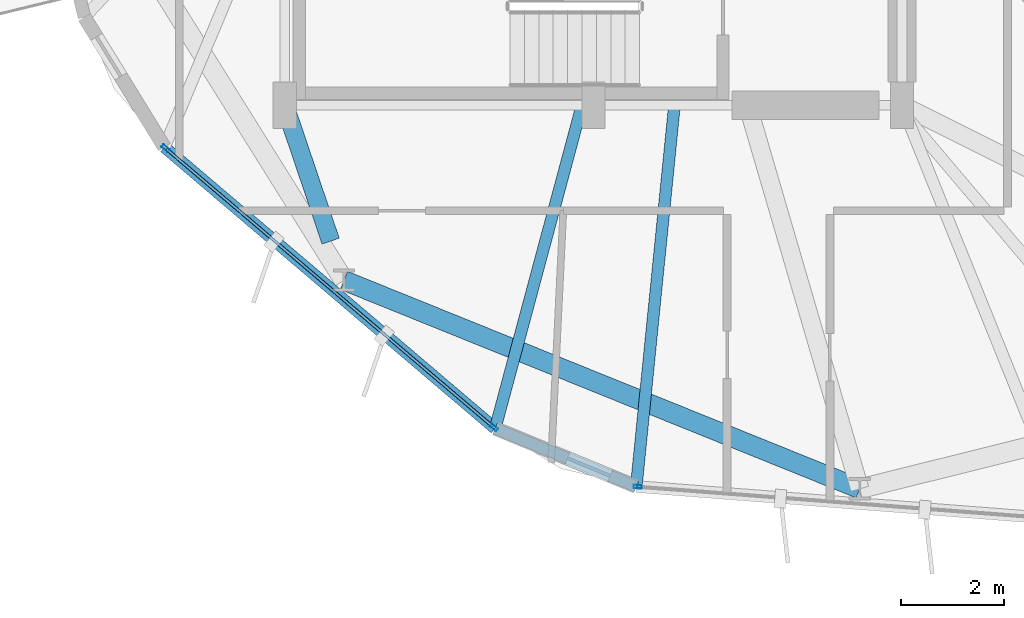
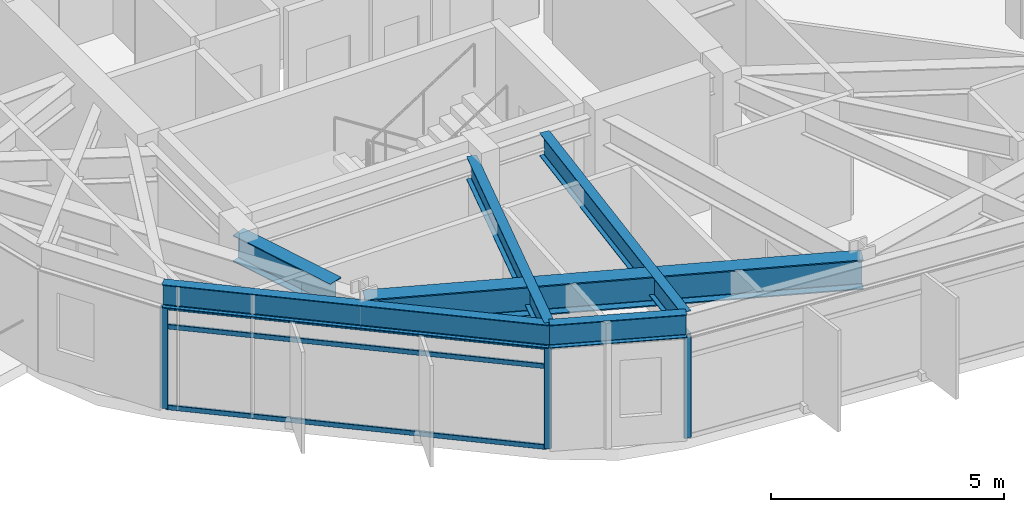
# One storey, part 2 of 21: 6 beams, 6 members, 2 elements without a shape of their own.
"""IFC4 building model written with IfcOpenShell, lengths in metres."""

from ifc_helpers import new_model, si_unit, direction, frame, origin, origin_2d, place, context, subcontext, project, spatial, hollow_rectangle, i_section, extrude, material, layer, layer_set, material_profile, profile_set, type_object, element, aggregate, save


model = new_model("IFC4")

# Units and contexts
model_context = context("Model", 3, precision=1e-05, world=origin(), true_north=direction((0.0, 1.0)))
body_context = subcontext(model_context, "Body", "Model", "MODEL_VIEW")
ifc_project = project(units=[si_unit("LENGTHUNIT", "METRE"), si_unit("AREAUNIT", "SQUARE_METRE"), si_unit("VOLUMEUNIT", "CUBIC_METRE"), si_unit("PLANEANGLEUNIT", "RADIAN"), si_unit("MASSUNIT", "GRAM", prefix="KILO")], contexts=[model_context])

# Site, building, storey
site_placement = place(None, origin())
site = spatial("IfcSite", under=ifc_project, at=site_placement, CompositionType="ELEMENT")
building_placement = place(site_placement, origin())
building = spatial("IfcBuilding", under=site, at=building_placement, Name="Soratama Intermodal Tower", CompositionType="ELEMENT")
storey_placement = place(building_placement, frame((0.0, 0.0, 149.800048828125)))
storey = spatial("IfcBuildingStorey", under=building, at=storey_placement, Name="L36", CompositionType="ELEMENT", Elevation=149.800048828125)

# Beams
ifc_material_1 = material(Name="Structural steel ASTM A992 Grade 50", Category="steel")
ifc_material_profile_1 = material_profile(ifc_material_1, i_section(OverallWidth=0.35498046875, OverallDepth=0.695068359375, WebThickness=0.015380859375, FlangeThickness=0.02490234375, FilletRadius=0.01611328125, at=origin_2d()), Name="W27X146")
ifc_profile_set_1 = profile_set([ifc_material_profile_1], Name="Structural steel ASTM A992 Grade 50")
beam_type_1 = type_object("IfcBeamType", Name="BM-RING-W27X146", PredefinedType="BEAM", material=ifc_profile_set_1)
beam_1_placement = place(storey_placement, frame((32.60009765625, 15.0, 2.952392578125), z_axis=(0.32013816754, -0.947370863856, 0.0), x_axis=(0.947370863856, 0.32013816754, 0.0)))
element("IfcBeam", 1, at=beam_1_placement, inside=storey, type_object=beam_type_1, Name="BM-L36-RAD-07", PredefinedType="BEAM", context=body_context, shape_type="SweptSolid", body=[
    extrude(i_section(OverallWidth=0.35498046875, OverallDepth=0.695068359375, WebThickness=0.015380859375, FlangeThickness=0.02490234375, FilletRadius=0.01611328125, at=origin_2d()), origin(), (0.0, 0.0, 1.0), 2.788818359375),
])
ifc_material_2 = material(Name="Structural steel ASTM A992 Grade 50", Category="steel")
ifc_material_profile_2 = material_profile(ifc_material_2, i_section(OverallWidth=0.382080078125, OverallDepth=0.779052734375, WebThickness=0.01806640625, FlangeThickness=0.030029296875, FilletRadius=0.01806640625, at=origin_2d()), Name="W30X191")
ifc_profile_set_2 = profile_set([ifc_material_profile_2], Name="Structural steel ASTM A992 Grade 50")
beam_type_2 = type_object("IfcBeamType", Name="BM-RING-W30X191", PredefinedType="BEAM", material=ifc_profile_set_2)
beam_2_placement = place(storey_placement, frame((33.7509765625, 11.593994140625, 2.910400390625), z_axis=(0.927202491827, -0.374560461275, 0.0), x_axis=(0.374560461275, 0.927202491827, 0.0)))
element("IfcBeam", 2, at=beam_2_placement, inside=storey, type_object=beam_type_2, Name="BM-L36-RING-07", PredefinedType="BEAM", context=body_context, shape_type="SweptSolid", body=[
    extrude(i_section(OverallWidth=0.382080078125, OverallDepth=0.779052734375, WebThickness=0.01806640625, FlangeThickness=0.030029296875, FilletRadius=0.01806640625, at=origin_2d()), origin(), (0.0, 0.0, 1.0), 10.8154296875),
])
ifc_material_3 = material(Name="Structural steel ASTM A992 Grade 50", Category="steel")
ifc_material_profile_3 = material_profile(ifc_material_3, i_section(OverallWidth=0.22900390625, OverallDepth=0.612060546875, WebThickness=0.011962890625, FlangeThickness=0.01953125, FilletRadius=0.012939453125, at=origin_2d()), Name="W24X84")
ifc_profile_set_3 = profile_set([ifc_material_profile_3], Name="Structural steel ASTM A992 Grade 50")
beam_type_3 = type_object("IfcBeamType", Name="BM-SPN-W24X84", PredefinedType="SPANDREL", material=ifc_profile_set_3)
beam_3_placement = place(storey_placement, frame((30.260986328125, 14.18408203125, 2.993896484375), z_axis=(0.761731615954, -0.647892695789, 0.0), x_axis=(0.647892695789, 0.761731615954, 0.0)))
element("IfcBeam", 3, at=beam_3_placement, inside=storey, type_object=beam_type_3, Name="BS-L36-F06", PredefinedType="SPANDREL", context=body_context, shape_type="SweptSolid", body=[
    extrude(i_section(OverallWidth=0.22900390625, OverallDepth=0.612060546875, WebThickness=0.011962890625, FlangeThickness=0.01953125, FilletRadius=0.012939453125, at=origin_2d()), origin(), (0.0, 0.0, 1.0), 8.441162109375),
])
beam_4_placement = place(storey_placement, frame((36.69091796875, 8.715087890625, 2.993896484375), z_axis=(0.924724111608, -0.380638039889, 0.0), x_axis=(0.380638039889, 0.924724111608, 0.0)))
element("IfcBeam", 4, at=beam_4_placement, inside=storey, type_object=beam_type_3, Name="BS-L36-CRN06", PredefinedType="SPANDREL", context=body_context, shape_type="SweptSolid", body=[
    extrude(i_section(OverallWidth=0.22900390625, OverallDepth=0.612060546875, WebThickness=0.011962890625, FlangeThickness=0.01953125, FilletRadius=0.012939453125, at=origin_2d()), origin(), (0.0, 0.0, 1.0), 2.966552734375),
])
ifc_material_4 = material(Name="Structural steel ASTM A992 Grade 50", Category="steel")
ifc_material_profile_4 = material_profile(ifc_material_4, i_section(OverallWidth=0.22900390625, OverallDepth=0.612060546875, WebThickness=0.011962890625, FlangeThickness=0.01953125, FilletRadius=0.012939453125, at=origin_2d()), Name="W24X84")
ifc_profile_set_4 = profile_set([ifc_material_profile_4], Name="Structural steel ASTM A992 Grade 50")
beam_type_4 = type_object("IfcBeamType", Name="BM-TIE-W24X84", PredefinedType="BEAM", material=ifc_profile_set_4)
beam_5_placement = place(storey_placement, frame((38.367919921875, 14.9609375, 2.993896484375), z_axis=(-0.259314091853, -0.965793042927, 0.0), x_axis=(0.965793042927, -0.259314091853, 0.0)))
element("IfcBeam", 5, at=beam_5_placement, inside=storey, type_object=beam_type_4, Name="BM-L36-TIE1-06", PredefinedType="BEAM", context=body_context, shape_type="SweptSolid", body=[
    extrude(i_section(OverallWidth=0.22900390625, OverallDepth=0.612060546875, WebThickness=0.011962890625, FlangeThickness=0.01953125, FilletRadius=0.012939453125, at=origin_2d()), origin(), (0.0, 0.0, 1.0), 6.467041015625),
])
beam_6_placement = place(storey_placement, frame((40.173095703125, 14.9599609375, 2.993896484375), z_axis=(-0.099718988921, -0.9950156397, 0.0), x_axis=(0.9950156397, -0.099718988921, 0.0)))
element("IfcBeam", 6, at=beam_6_placement, inside=storey, type_object=beam_type_4, Name="BM-L36-TIE0-07", PredefinedType="BEAM", context=body_context, shape_type="SweptSolid", body=[
    extrude(i_section(OverallWidth=0.22900390625, OverallDepth=0.612060546875, WebThickness=0.011962890625, FlangeThickness=0.01953125, FilletRadius=0.012939453125, at=origin_2d()), origin(), (0.0, 0.0, 1.0), 7.410888671875),
])

# Curtain wall, members
ifc_material_5 = material(Name="Double-glazed aluminium curtain wall", Category="aluminium")
ifc_layer = layer(ifc_material_5, 0.159912109375)
ifc_layer_set = layer_set([ifc_layer], Name="Double-glazed aluminium curtain wall")
curtain_wall_type = type_object("IfcCurtainWallType", Name="CW-SYS-4", PredefinedType="NOTDEFINED", material=ifc_layer_set)
curtain_wall_1_placement = place(storey_placement, origin())
curtain_wall_1 = element("IfcCurtainWall", 7, at=curtain_wall_1_placement, inside=storey, type_object=curtain_wall_type, Name="L36 Faceted Curtain Wall F06", PredefinedType="NOTDEFINED")
ifc_material_6 = material(Name="Anodised aluminium AA 6063-T6", Category="aluminium")
ifc_material_profile_5 = material_profile(ifc_material_6, hollow_rectangle(XDim=0.070068359375, YDim=0.159912109375, WallThickness=0.0048828125, InnerFilletRadius=0.0048828125, OuterFilletRadius=0.010009765625, at=origin_2d()), Name="CWM160X70X5")
ifc_profile_set_5 = profile_set([ifc_material_profile_5], Name="Anodised aluminium AA 6063-T6")
member_type_1 = type_object("IfcMemberType", Name="MT-CWM-4", PredefinedType="MULLION", material=ifc_profile_set_5)
member_1_placement = place(storey_placement, frame((30.28369140625, 14.1640625, 0.0), z_axis=(0.0, 0.0, 1.0), x_axis=(0.647857493504, 0.761761555942, 0.0)))
member_1 = element("IfcMember", 8, at=member_1_placement, type_object=member_type_1, Name="CW-4 mullion 1", PredefinedType="MULLION", context=body_context, shape_type="SweptSolid", body=[
    extrude(hollow_rectangle(XDim=0.070068359375, YDim=0.159912109375, WallThickness=0.0048828125, InnerFilletRadius=0.0048828125, OuterFilletRadius=0.010009765625, at=origin_2d()), origin(), (0.0, 0.0, 1.0), 2.678955078125),
])
member_2_placement = place(storey_placement, frame((36.667724609375, 8.734619140625, 0.0), z_axis=(0.0, 0.0, 1.0), x_axis=(0.647857493504, 0.761761555942, 0.0)))
member_2 = element("IfcMember", 9, at=member_2_placement, type_object=member_type_1, Name="CW-4 mullion 2", PredefinedType="MULLION", context=body_context, shape_type="SweptSolid", body=[
    extrude(hollow_rectangle(XDim=0.070068359375, YDim=0.159912109375, WallThickness=0.0048828125, InnerFilletRadius=0.0048828125, OuterFilletRadius=0.010009765625, at=origin_2d()), origin(), (0.0, 0.0, 1.0), 2.678955078125),
])

# Curtain wall, member
curtain_wall_2_placement = place(storey_placement, origin())
curtain_wall_2 = element("IfcCurtainWall", 10, at=curtain_wall_2_placement, inside=storey, type_object=curtain_wall_type, Name="L36 Faceted Curtain Wall F07", PredefinedType="NOTDEFINED")
member_3_placement = place(storey_placement, frame((39.463623046875, 7.58349609375, 0.0), z_axis=(0.0, 0.0, 1.0), x_axis=(0.076370334311, 0.997079521421, 0.0)))
member_3 = element("IfcMember", 11, at=member_3_placement, type_object=member_type_1, Name="CW-4 mullion 1", PredefinedType="MULLION", context=body_context, shape_type="SweptSolid", body=[
    extrude(hollow_rectangle(XDim=0.070068359375, YDim=0.159912109375, WallThickness=0.0048828125, InnerFilletRadius=0.0048828125, OuterFilletRadius=0.010009765625, at=origin_2d()), origin(), (0.0, 0.0, 1.0), 2.678955078125),
])
aggregate(curtain_wall_2, [member_3])

# Member
ifc_material_7 = material(Name="Anodised aluminium AA 6063-T6", Category="aluminium")
ifc_material_profile_6 = material_profile(ifc_material_7, hollow_rectangle(XDim=0.06005859375, YDim=0.1298828125, WallThickness=0.0048828125, InnerFilletRadius=0.0048828125, OuterFilletRadius=0.010009765625, at=origin_2d()), Name="CWT130X60X5")
ifc_profile_set_6 = profile_set([ifc_material_profile_6], Name="Anodised aluminium AA 6063-T6")
member_type_2 = type_object("IfcMemberType", Name="TT-CWT-2", PredefinedType="USERDEFINED", material=ifc_profile_set_6)
member_4_placement = place(storey_placement, frame((30.306640625, 14.14453125, 0.030029296875), z_axis=(0.761763361781, -0.647855370162, 0.0), x_axis=(0.647855370162, 0.761763361781, 0.0)))
member_4 = element("IfcMember", 12, at=member_4_placement, type_object=member_type_2, Name="CW-4 transom 1.1", ObjectType="TRANSOM", PredefinedType="USERDEFINED", context=body_context, shape_type="SweptSolid", body=[
    extrude(hollow_rectangle(XDim=0.06005859375, YDim=0.1298828125, WallThickness=0.0048828125, InnerFilletRadius=0.0048828125, OuterFilletRadius=0.010009765625, at=origin_2d()), origin(), (0.0, 0.0, 1.0), 8.3203125),
])

member_5_placement = place(storey_placement, frame((30.306640625, 14.14453125, 2.14990234375), z_axis=(0.761763361781, -0.647855370162, 0.0), x_axis=(0.647855370162, 0.761763361781, 0.0)))
member_5 = element("IfcMember", 13, at=member_5_placement, type_object=member_type_2, Name="CW-4 transom 1.2", ObjectType="TRANSOM", PredefinedType="USERDEFINED", context=body_context, shape_type="SweptSolid", body=[
    extrude(hollow_rectangle(XDim=0.06005859375, YDim=0.1298828125, WallThickness=0.0048828125, InnerFilletRadius=0.0048828125, OuterFilletRadius=0.010009765625, at=origin_2d()), origin(), (0.0, 0.0, 1.0), 8.3203125),
])

member_6_placement = place(storey_placement, frame((30.306640625, 14.14453125, 2.64892578125), z_axis=(0.761763361781, -0.647855370162, 0.0), x_axis=(0.647855370162, 0.761763361781, 0.0)))
member_6 = element("IfcMember", 14, at=member_6_placement, type_object=member_type_2, Name="CW-4 transom 1.3", ObjectType="TRANSOM", PredefinedType="USERDEFINED", context=body_context, shape_type="SweptSolid", body=[
    extrude(hollow_rectangle(XDim=0.06005859375, YDim=0.1298828125, WallThickness=0.0048828125, InnerFilletRadius=0.0048828125, OuterFilletRadius=0.010009765625, at=origin_2d()), origin(), (0.0, 0.0, 1.0), 8.3203125),
])

aggregate(curtain_wall_1, [member_1, member_2, member_4, member_5, member_6])

save(model, "model.ifc")
